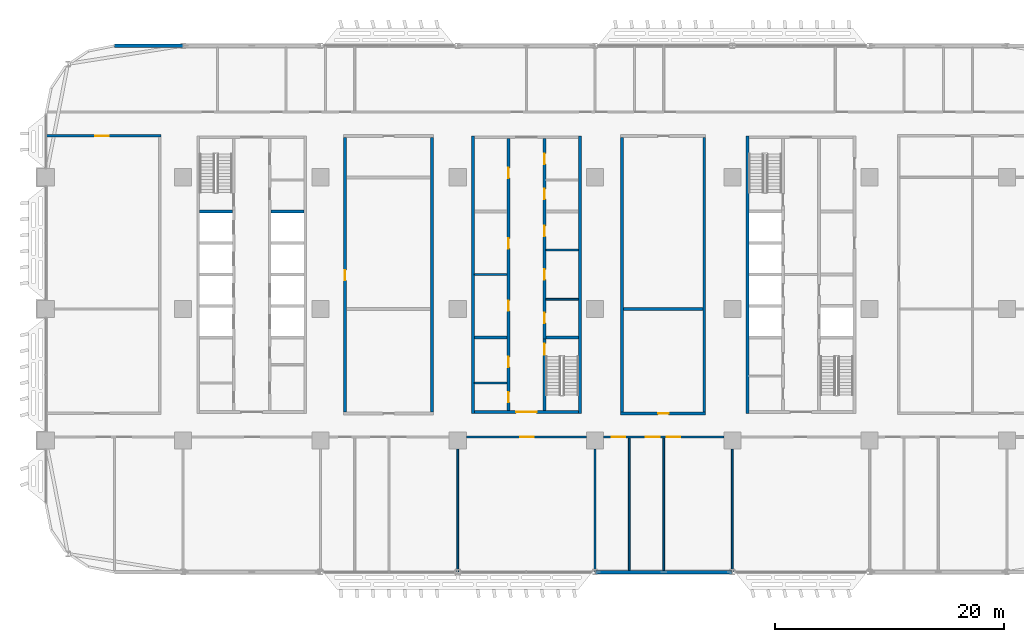
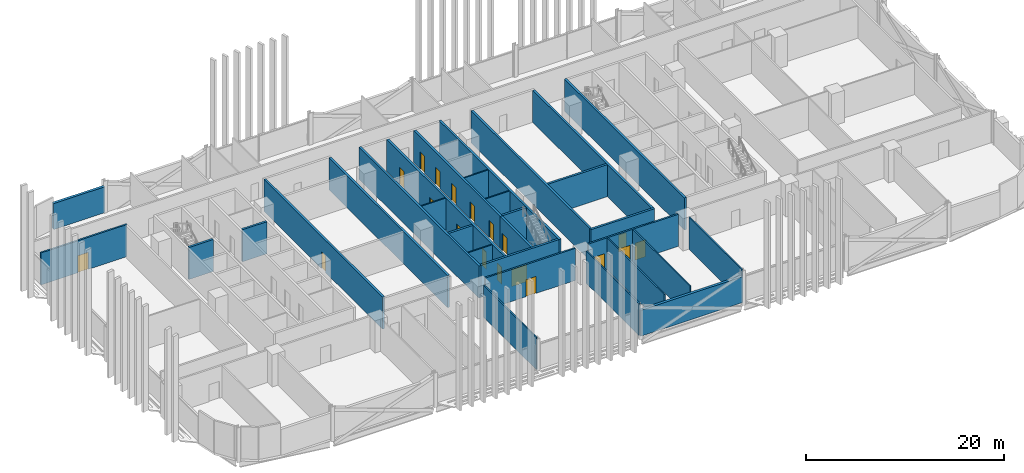
# One storey, part 13 of 29: 31 walls, 19 doors, 19 openings.
"""IFC4 building model written with IfcOpenShell, lengths in metres."""

from ifc_helpers import new_model, si_unit, direction, frame, frame_2d, origin, place, context, subcontext, project, spatial, rectangle, extrude, material, layer, layer_set, type_object, element, fill, save


model = new_model("IFC4")

# Units and contexts
model_context = context("Model", 3, precision=1e-05, world=origin(), true_north=direction((0.0, 1.0)))
body_context = subcontext(model_context, "Body", "Model", "MODEL_VIEW")
ifc_project = project(units=[si_unit("LENGTHUNIT", "METRE"), si_unit("AREAUNIT", "SQUARE_METRE"), si_unit("VOLUMEUNIT", "CUBIC_METRE"), si_unit("PLANEANGLEUNIT", "RADIAN"), si_unit("MASSUNIT", "GRAM", prefix="KILO")], contexts=[model_context])

# Site, building, storey
site_placement = place(None, origin())
site = spatial("IfcSite", under=ifc_project, at=site_placement, CompositionType="ELEMENT")
building_placement = place(site_placement, origin())
building = spatial("IfcBuilding", under=site, at=building_placement, Name="Mahtab Terrace Research Tower", CompositionType="ELEMENT")
storey_placement = place(building_placement, frame((0.0, 0.0, 63.199951171875)))
storey = spatial("IfcBuildingStorey", under=building, at=storey_placement, Name="L14", CompositionType="ELEMENT", Elevation=63.199951171875)

# Walls
ifc_material_1 = material(Name="Gypsum board partition")
ifc_layer_1 = layer(ifc_material_1, 0.14990234375)
ifc_layer_set_1 = layer_set([ifc_layer_1], Name="Core partition 150")
wall_type_1 = type_object("IfcWallType", Name="Core partition 150", PredefinedType="PARTITIONING", material=ifc_layer_set_1)
for number, where, z_axis, x_axis, name in (
    (1, (-4.550048828125, 3.0, 0.0), (0.0, 0.0, 1.0), (1.0, 0.0, 0.0), "Core wall B pWL0"),
    (2, (1.699951171875, 0.85009765625, 0.0), (0.0, 0.0, 1.0), (1.0, 0.0, 0.0), "Core wall B pEL-215"),
    (3, (1.699951171875, 5.14990234375, 0.0), (0.0, 0.0, 1.0), (1.0, 0.0, 0.0), "Core wall B pEL215"),
    (4, (-4.550048828125, -6.47509765625, 0.0), (0.0, 0.0, 1.0), (1.0, 0.0, 0.0), "Core wall B pWS-948"),
):
    element("IfcWall", number, at=place(storey_placement, frame(where, z_axis=z_axis, x_axis=x_axis)), inside=storey, type_object=wall_type_1, Name=name, PredefinedType="PARTITIONING", context=body_context, shape_type="SweptSolid", body=[
        extrude(rectangle(XDim=2.85009765625, YDim=0.14990234375, at=frame_2d((1.425048828125, 0.0))), origin(), (0.0, 0.0, 1.0), 3.9599609375),
    ])
ifc_material_2 = material(Name="Concrete C70/85", Category="concrete")
ifc_layer_2 = layer(ifc_material_2, 0.25)
ifc_layer_set_2 = layer_set([ifc_layer_2], Name="Core wall 250")
wall_type_2 = type_object("IfcWallType", Name="Core wall 250", PredefinedType="SOLIDWALL", material=ifc_layer_set_2)
for number, where, z_axis, x_axis, name in (
    (5, (-28.550048828125, 8.5, 0.0), (0.0, 0.0, 1.0), (1.0, 0.0, 0.0), "Core wall A divW4"),
    (6, (-22.300048828125, 8.5, 0.0), (0.0, 0.0, 1.0), (1.0, 0.0, 0.0), "Core wall A divE4"),
):
    element("IfcWall", number, at=place(storey_placement, frame(where, z_axis=z_axis, x_axis=x_axis)), inside=storey, type_object=wall_type_2, Name=name, PredefinedType="SOLIDWALL", context=body_context, shape_type="SweptSolid", body=[
        extrude(rectangle(XDim=2.85009765625, YDim=0.25, at=frame_2d((1.425048828125, 0.0))), origin(), (0.0, 0.0, 1.0), 3.9599609375),
    ])
for number, where, z_axis, x_axis, name in (
    (7, (-4.675048828125, 15.125, 0.0), (0.0, 0.0, 1.0), (0.0, -1.0, 0.0), "Core wall B outerW"),
    (8, (4.675048828125, -9.125, 0.0), (0.0, 0.0, 1.0), (0.0, 1.0, 0.0), "Core wall B outerE"),
):
    element("IfcWall", number, at=place(storey_placement, frame(where, z_axis=z_axis, x_axis=x_axis)), inside=storey, type_object=wall_type_2, Name=name, PredefinedType="SOLIDWALL", context=body_context, shape_type="SweptSolid", body=[
        extrude(rectangle(XDim=24.25, YDim=0.25, at=frame_2d((12.125, 0.0))), origin(), (0.0, 0.0, 1.0), 3.9599609375),
    ])

# Wall, opening, door
wall_1_placement = place(storey_placement, frame((4.550048828125, -9.0, 0.0), z_axis=(0.0, 0.0, 1.0), x_axis=(-1.0, 0.0, 0.0)))
wall_1 = element("IfcWall", 9, at=wall_1_placement, inside=storey, type_object=wall_type_2, Name="Core wall B endS", PredefinedType="SOLIDWALL", context=body_context, shape_type="SweptSolid", body=[
    extrude(rectangle(XDim=9.10009765625, YDim=0.25, at=frame_2d((4.550048828125, 0.0))), origin(), (0.0, 0.0, 1.0), 3.9599609375),
])
opening_1_placement = place(wall_1_placement, frame((3.64990234375, 0.0, 0.0)))
opening_1 = element("IfcOpeningElement", 10, at=opening_1_placement, cuts=wall_1, Name="Opening B-S1", PredefinedType="OPENING", context=body_context, shape_type="SweptSolid", body=[
    extrude(rectangle(XDim=1.800048828125, YDim=2.10009765625, at=frame_2d((0.89990234375, 1.050048828125))), frame((0.0, 0.135009765625, 0.0), z_axis=(0.0, -1.0, 0.0), x_axis=(1.0, 0.0, 0.0)), (0.0, 0.0, 1.0), 0.27001953125),
])
ifc_material_3 = material(Name="Steel fire door", Category="steel")
door_type_1 = type_object("IfcDoorType", Name="Lobby double door 1800x2100 1 HR", OperationType="DOUBLE_DOOR_SINGLE_SWING", PredefinedType="DOOR", material=ifc_material_3)
door_1_placement = place(opening_1_placement, origin())
door_1 = element("IfcDoor", 11, at=door_1_placement, inside=storey, type_object=door_type_1, Name="Core entrance door B S", OperationType="DOUBLE_DOOR_SINGLE_SWING", OverallHeight=2.10009765625, OverallWidth=1.800048828125, PredefinedType="DOOR", context=body_context, shape_type="SweptSolid", body=[
    extrude(rectangle(XDim=1.800048828125, YDim=2.10009765625, at=frame_2d((0.89990234375, 1.050048828125))), frame((0.0, 0.02490234375, 0.0), z_axis=(0.0, -1.0, 0.0), x_axis=(1.0, 0.0, 0.0)), (0.0, 0.0, 1.0), 0.050048828125),
])
fill(opening_1, door_1)

# Wall, openings, doors
wall_2_placement = place(storey_placement, frame((-1.574951171875, -8.875, 0.0), z_axis=(0.0, 0.0, 1.0), x_axis=(0.0, 1.0, 0.0)))
wall_2 = element("IfcWall", 12, at=wall_2_placement, inside=storey, type_object=wall_type_2, Name="Core wall B innerWSLN", PredefinedType="SOLIDWALL", context=body_context, shape_type="SweptSolid", body=[
    extrude(rectangle(XDim=23.75, YDim=0.25, at=frame_2d((11.875, 0.0))), origin(), (0.0, 0.0, 1.0), 3.9599609375),
])
opening_2_placement = place(wall_2_placement, frame((8.699951171875, 0.0, 0.0)))
opening_2 = element("IfcOpeningElement", 13, at=opening_2_placement, cuts=wall_2, Name="Opening B-R1", PredefinedType="OPENING", context=body_context, shape_type="SweptSolid", body=[
    extrude(rectangle(XDim=0.89990234375, YDim=2.10009765625, at=frame_2d((0.449951171875, 1.050048828125))), frame((0.0, 0.135009765625, 0.0), z_axis=(0.0, -1.0, 0.0), x_axis=(1.0, 0.0, 0.0)), (0.0, 0.0, 1.0), 0.27001953125),
])
opening_3_placement = place(wall_2_placement, frame((14.14990234375, 0.0, 0.0)))
opening_3 = element("IfcOpeningElement", 14, at=opening_3_placement, cuts=wall_2, Name="Opening B-R2", PredefinedType="OPENING", context=body_context, shape_type="SweptSolid", body=[
    extrude(rectangle(XDim=0.89990234375, YDim=2.10009765625, at=frame_2d((0.449951171875, 1.050048828125))), frame((0.0, 0.135009765625, 0.0), z_axis=(0.0, -1.0, 0.0), x_axis=(1.0, 0.0, 0.0)), (0.0, 0.0, 1.0), 0.27001953125),
])
opening_4_placement = place(wall_2_placement, frame((0.71240234375, 0.0, 0.0)))
opening_4 = element("IfcOpeningElement", 15, at=opening_4_placement, cuts=wall_2, Name="Opening B-R6", PredefinedType="OPENING", context=body_context, shape_type="SweptSolid", body=[
    extrude(rectangle(XDim=0.89990234375, YDim=2.10009765625, at=frame_2d((0.449951171875, 1.050048828125))), frame((0.0, 0.135009765625, 0.0), z_axis=(0.0, -1.0, 0.0), x_axis=(1.0, 0.0, 0.0)), (0.0, 0.0, 1.0), 0.27001953125),
])
opening_5_placement = place(wall_2_placement, frame((3.78759765625, 0.0, 0.0)))
opening_5 = element("IfcOpeningElement", 16, at=opening_5_placement, cuts=wall_2, Name="Opening B-R7", PredefinedType="OPENING", context=body_context, shape_type="SweptSolid", body=[
    extrude(rectangle(XDim=0.89990234375, YDim=2.10009765625, at=frame_2d((0.449951171875, 1.050048828125))), frame((0.0, 0.135009765625, 0.0), z_axis=(0.0, -1.0, 0.0), x_axis=(1.0, 0.0, 0.0)), (0.0, 0.0, 1.0), 0.27001953125),
])
opening_6_placement = place(wall_2_placement, frame((20.300048828125, 0.0, 0.0)))
opening_6 = element("IfcOpeningElement", 17, at=opening_6_placement, cuts=wall_2, Name="Opening B-R8", PredefinedType="OPENING", context=body_context, shape_type="SweptSolid", body=[
    extrude(rectangle(XDim=0.89990234375, YDim=2.10009765625, at=frame_2d((0.449951171875, 1.050048828125))), frame((0.0, 0.135009765625, 0.0), z_axis=(0.0, -1.0, 0.0), x_axis=(1.0, 0.0, 0.0)), (0.0, 0.0, 1.0), 0.27001953125),
])
door_type_2 = type_object("IfcDoorType", Name="Room door 900x2100 1 HR", OperationType="NOTDEFINED", PredefinedType="DOOR", material=ifc_material_3)
door_2_placement = place(opening_2_placement, origin())
door_2 = element("IfcDoor", 18, at=door_2_placement, inside=storey, type_object=door_type_2, Name="Document store door", OperationType="SINGLE_SWING_LEFT", OverallHeight=2.10009765625, OverallWidth=0.89990234375, PredefinedType="DOOR", context=body_context, shape_type="SweptSolid", body=[
    extrude(rectangle(XDim=0.89990234375, YDim=2.10009765625, at=frame_2d((0.449951171875, 1.050048828125))), frame((0.0, 0.02490234375, 0.0), z_axis=(0.0, -1.0, 0.0), x_axis=(1.0, 0.0, 0.0)), (0.0, 0.0, 1.0), 0.050048828125),
])
fill(opening_2, door_2)
door_3_placement = place(opening_3_placement, origin())
door_3 = element("IfcDoor", 19, at=door_3_placement, inside=storey, type_object=door_type_2, Name="IT equipment room door", OperationType="SINGLE_SWING_RIGHT", OverallHeight=2.10009765625, OverallWidth=0.89990234375, PredefinedType="DOOR", context=body_context, shape_type="SweptSolid", body=[
    extrude(rectangle(XDim=0.89990234375, YDim=2.10009765625, at=frame_2d((0.449951171875, 1.050048828125))), frame((0.0, 0.02490234375, 0.0), z_axis=(0.0, -1.0, 0.0), x_axis=(1.0, 0.0, 0.0)), (0.0, 0.0, 1.0), 0.050048828125),
])
fill(opening_3, door_3)
door_4_placement = place(opening_4_placement, origin())
door_4 = element("IfcDoor", 20, at=door_4_placement, inside=storey, type_object=door_type_2, Name="Mechanical riser room door", OperationType="SINGLE_SWING_RIGHT", OverallHeight=2.10009765625, OverallWidth=0.89990234375, PredefinedType="DOOR", context=body_context, shape_type="SweptSolid", body=[
    extrude(rectangle(XDim=0.89990234375, YDim=2.10009765625, at=frame_2d((0.449951171875, 1.050048828125))), frame((0.0, 0.02490234375, 0.0), z_axis=(0.0, -1.0, 0.0), x_axis=(1.0, 0.0, 0.0)), (0.0, 0.0, 1.0), 0.050048828125),
])
fill(opening_4, door_4)
door_5_placement = place(opening_5_placement, origin())
door_5 = element("IfcDoor", 21, at=door_5_placement, inside=storey, type_object=door_type_2, Name="Chemical store door", OperationType="SINGLE_SWING_LEFT", OverallHeight=2.10009765625, OverallWidth=0.89990234375, PredefinedType="DOOR", context=body_context, shape_type="SweptSolid", body=[
    extrude(rectangle(XDim=0.89990234375, YDim=2.10009765625, at=frame_2d((0.449951171875, 1.050048828125))), frame((0.0, 0.02490234375, 0.0), z_axis=(0.0, -1.0, 0.0), x_axis=(1.0, 0.0, 0.0)), (0.0, 0.0, 1.0), 0.050048828125),
])
fill(opening_5, door_5)
door_6_placement = place(opening_6_placement, origin())
door_6 = element("IfcDoor", 22, at=door_6_placement, inside=storey, type_object=door_type_2, Name="Gas cylinder store door", OperationType="SINGLE_SWING_RIGHT", OverallHeight=2.10009765625, OverallWidth=0.89990234375, PredefinedType="DOOR", context=body_context, shape_type="SweptSolid", body=[
    extrude(rectangle(XDim=0.89990234375, YDim=2.10009765625, at=frame_2d((0.449951171875, 1.050048828125))), frame((0.0, 0.02490234375, 0.0), z_axis=(0.0, -1.0, 0.0), x_axis=(1.0, 0.0, 0.0)), (0.0, 0.0, 1.0), 0.050048828125),
])
fill(opening_6, door_6)

# Wall, opening, door
wall_3_placement = place(storey_placement, frame((1.574951171875, -8.875, 0.0), z_axis=(0.0, 0.0, 1.0), x_axis=(0.0, 1.0, 0.0)))
wall_3 = element("IfcWall", 23, at=wall_3_placement, inside=storey, type_object=wall_type_2, Name="Core wall B innerES", PredefinedType="SOLIDWALL", context=body_context, shape_type="SweptSolid", body=[
    extrude(rectangle(XDim=6.25, YDim=0.25, at=frame_2d((3.125, 0.0))), origin(), (0.0, 0.0, 1.0), 3.9599609375),
])
opening_7_placement = place(wall_3_placement, frame((4.85009765625, 0.0, 0.0)))
opening_7 = element("IfcOpeningElement", 24, at=opening_7_placement, cuts=wall_3, Name="Opening B-ST2", PredefinedType="OPENING", context=body_context, shape_type="SweptSolid", body=[
    extrude(rectangle(XDim=1.0, YDim=2.10009765625, at=frame_2d((0.5, 1.050048828125))), frame((0.0, 0.135009765625, 0.0), z_axis=(0.0, -1.0, 0.0), x_axis=(1.0, 0.0, 0.0)), (0.0, 0.0, 1.0), 0.27001953125),
])
door_type_3 = type_object("IfcDoorType", Name="Stair door 1000x2100 1.5 HR", OperationType="NOTDEFINED", PredefinedType="DOOR", material=ifc_material_3)
door_7_placement = place(opening_7_placement, origin())
door_7 = element("IfcDoor", 25, at=door_7_placement, inside=storey, type_object=door_type_3, Name="Stair door ST2 L14", OperationType="SINGLE_SWING_LEFT", OverallHeight=2.10009765625, OverallWidth=1.0, PredefinedType="DOOR", context=body_context, shape_type="SweptSolid", body=[
    extrude(rectangle(XDim=1.0, YDim=2.10009765625, at=frame_2d((0.5, 1.050048828125))), frame((0.0, 0.02490234375, 0.0), z_axis=(0.0, -1.0, 0.0), x_axis=(1.0, 0.0, 0.0)), (0.0, 0.0, 1.0), 0.050048828125),
])
fill(opening_7, door_7)

# Wall, openings, doors
wall_4_placement = place(storey_placement, frame((1.574951171875, 14.875, 0.0), z_axis=(0.0, 0.0, 1.0), x_axis=(0.0, -1.0, 0.0)))
wall_4 = element("IfcWall", 26, at=wall_4_placement, inside=storey, type_object=wall_type_2, Name="Core wall B innerELN", PredefinedType="SOLIDWALL", context=body_context, shape_type="SweptSolid", body=[
    extrude(rectangle(XDim=17.5, YDim=0.25, at=frame_2d((8.75, 0.0))), origin(), (0.0, 0.0, 1.0), 3.9599609375),
])
opening_8_placement = place(wall_4_placement, frame((15.22509765625, 0.0, 0.0)))
opening_8 = element("IfcOpeningElement", 27, at=opening_8_placement, cuts=wall_4, Name="Opening B-R3", PredefinedType="OPENING", context=body_context, shape_type="SweptSolid", body=[
    extrude(rectangle(XDim=0.89990234375, YDim=2.10009765625, at=frame_2d((0.449951171875, 1.050048828125))), frame((0.0, 0.135009765625, 0.0), z_axis=(0.0, -1.0, 0.0), x_axis=(1.0, 0.0, 0.0)), (0.0, 0.0, 1.0), 0.27001953125),
])
opening_9_placement = place(wall_4_placement, frame((11.425048828125, 0.0, 0.0)))
opening_9 = element("IfcOpeningElement", 28, at=opening_9_placement, cuts=wall_4, Name="Opening B-R4", PredefinedType="OPENING", context=body_context, shape_type="SweptSolid", body=[
    extrude(rectangle(XDim=0.89990234375, YDim=2.10009765625, at=frame_2d((0.449951171875, 1.050048828125))), frame((0.0, 0.135009765625, 0.0), z_axis=(0.0, -1.0, 0.0), x_axis=(1.0, 0.0, 0.0)), (0.0, 0.0, 1.0), 0.27001953125),
])
opening_10_placement = place(wall_4_placement, frame((7.625, 0.0, 0.0)))
opening_10 = element("IfcOpeningElement", 29, at=opening_10_placement, cuts=wall_4, Name="Opening B-R5", PredefinedType="OPENING", context=body_context, shape_type="SweptSolid", body=[
    extrude(rectangle(XDim=0.89990234375, YDim=2.10009765625, at=frame_2d((0.449951171875, 1.050048828125))), frame((0.0, 0.135009765625, 0.0), z_axis=(0.0, -1.0, 0.0), x_axis=(1.0, 0.0, 0.0)), (0.0, 0.0, 1.0), 0.27001953125),
])
opening_11_placement = place(wall_4_placement, frame((4.387451171875, 0.0, 0.0)))
opening_11 = element("IfcOpeningElement", 30, at=opening_11_placement, cuts=wall_4, Name="Opening B-R9", PredefinedType="OPENING", context=body_context, shape_type="SweptSolid", body=[
    extrude(rectangle(XDim=0.89990234375, YDim=2.10009765625, at=frame_2d((0.449951171875, 1.050048828125))), frame((0.0, 0.135009765625, 0.0), z_axis=(0.0, -1.0, 0.0), x_axis=(1.0, 0.0, 0.0)), (0.0, 0.0, 1.0), 0.27001953125),
])
opening_12_placement = place(wall_4_placement, frame((1.3125, 0.0, 0.0)))
opening_12 = element("IfcOpeningElement", 31, at=opening_12_placement, cuts=wall_4, Name="Opening B-R10", PredefinedType="OPENING", context=body_context, shape_type="SweptSolid", body=[
    extrude(rectangle(XDim=0.89990234375, YDim=2.10009765625, at=frame_2d((0.449951171875, 1.050048828125))), frame((0.0, 0.135009765625, 0.0), z_axis=(0.0, -1.0, 0.0), x_axis=(1.0, 0.0, 0.0)), (0.0, 0.0, 1.0), 0.27001953125),
])
door_8_placement = place(opening_8_placement, origin())
door_8 = element("IfcDoor", 32, at=door_8_placement, inside=storey, type_object=door_type_2, Name="Electrical room door", OperationType="SINGLE_SWING_LEFT", OverallHeight=2.10009765625, OverallWidth=0.89990234375, PredefinedType="DOOR", context=body_context, shape_type="SweptSolid", body=[
    extrude(rectangle(XDim=0.89990234375, YDim=2.10009765625, at=frame_2d((0.449951171875, 1.050048828125))), frame((0.0, 0.02490234375, 0.0), z_axis=(0.0, -1.0, 0.0), x_axis=(1.0, 0.0, 0.0)), (0.0, 0.0, 1.0), 0.050048828125),
])
fill(opening_8, door_8)
door_9_placement = place(opening_9_placement, origin())
door_9 = element("IfcDoor", 33, at=door_9_placement, inside=storey, type_object=door_type_2, Name="Pantry door", OperationType="SINGLE_SWING_RIGHT", OverallHeight=2.10009765625, OverallWidth=0.89990234375, PredefinedType="DOOR", context=body_context, shape_type="SweptSolid", body=[
    extrude(rectangle(XDim=0.89990234375, YDim=2.10009765625, at=frame_2d((0.449951171875, 1.050048828125))), frame((0.0, 0.02490234375, 0.0), z_axis=(0.0, -1.0, 0.0), x_axis=(1.0, 0.0, 0.0)), (0.0, 0.0, 1.0), 0.050048828125),
])
fill(opening_9, door_9)
door_10_placement = place(opening_10_placement, origin())
door_10 = element("IfcDoor", 34, at=door_10_placement, inside=storey, type_object=door_type_2, Name="Housekeeping store door", OperationType="SINGLE_SWING_LEFT", OverallHeight=2.10009765625, OverallWidth=0.89990234375, PredefinedType="DOOR", context=body_context, shape_type="SweptSolid", body=[
    extrude(rectangle(XDim=0.89990234375, YDim=2.10009765625, at=frame_2d((0.449951171875, 1.050048828125))), frame((0.0, 0.02490234375, 0.0), z_axis=(0.0, -1.0, 0.0), x_axis=(1.0, 0.0, 0.0)), (0.0, 0.0, 1.0), 0.050048828125),
])
fill(opening_10, door_10)
door_11_placement = place(opening_11_placement, origin())
door_11 = element("IfcDoor", 35, at=door_11_placement, inside=storey, type_object=door_type_2, Name="Accessible WC door", OperationType="SINGLE_SWING_LEFT", OverallHeight=2.10009765625, OverallWidth=0.89990234375, PredefinedType="DOOR", context=body_context, shape_type="SweptSolid", body=[
    extrude(rectangle(XDim=0.89990234375, YDim=2.10009765625, at=frame_2d((0.449951171875, 1.050048828125))), frame((0.0, 0.02490234375, 0.0), z_axis=(0.0, -1.0, 0.0), x_axis=(1.0, 0.0, 0.0)), (0.0, 0.0, 1.0), 0.050048828125),
])
fill(opening_11, door_11)
door_12_placement = place(opening_12_placement, origin())
door_12 = element("IfcDoor", 36, at=door_12_placement, inside=storey, type_object=door_type_2, Name="WC block door", OperationType="SINGLE_SWING_RIGHT", OverallHeight=2.10009765625, OverallWidth=0.89990234375, PredefinedType="DOOR", context=body_context, shape_type="SweptSolid", body=[
    extrude(rectangle(XDim=0.89990234375, YDim=2.10009765625, at=frame_2d((0.449951171875, 1.050048828125))), frame((0.0, 0.02490234375, 0.0), z_axis=(0.0, -1.0, 0.0), x_axis=(1.0, 0.0, 0.0)), (0.0, 0.0, 1.0), 0.050048828125),
])
fill(opening_12, door_12)

# Walls
for number, where, z_axis, x_axis, name in (
    (37, (-4.550048828125, -2.5, 0.0), (0.0, 0.0, 1.0), (1.0, 0.0, 0.0), "Core wall B divW0"),
    (38, (1.699951171875, -2.5, 0.0), (0.0, 0.0, 1.0), (1.0, 0.0, 0.0), "Core wall B divE0"),
):
    element("IfcWall", number, at=place(storey_placement, frame(where, z_axis=z_axis, x_axis=x_axis)), inside=storey, type_object=wall_type_2, Name=name, PredefinedType="SOLIDWALL", context=body_context, shape_type="SweptSolid", body=[
        extrude(rectangle(XDim=2.85009765625, YDim=0.25, at=frame_2d((1.425048828125, 0.0))), origin(), (0.0, 0.0, 1.0), 3.9599609375),
    ])
wall_5_placement = place(storey_placement, frame((19.324951171875, 15.125, 0.0), z_axis=(0.0, 0.0, 1.0), x_axis=(0.0, -1.0, 0.0)))
element("IfcWall", 39, at=wall_5_placement, inside=storey, type_object=wall_type_2, Name="Core wall C outerW", PredefinedType="SOLIDWALL", context=body_context, shape_type="SweptSolid", body=[
    extrude(rectangle(XDim=24.25, YDim=0.25, at=frame_2d((12.125, 0.0))), origin(), (0.0, 0.0, 1.0), 3.9599609375),
])
ifc_material_4 = material(Name="Black aluminium cladding panel", Category="aluminium")
ifc_layer_3 = layer(ifc_material_4, 0.300048828125)
ifc_layer_set_3 = layer_set([ifc_layer_3], Name="Opaque facade wall 300")
wall_type_3 = type_object("IfcWallType", Name="Opaque facade wall 300", PredefinedType="NOTDEFINED", material=ifc_layer_set_3)
wall_6_placement = place(storey_placement, frame((-30.02392578125, 23.0, 0.0), z_axis=(0.0, 0.0, 1.0), x_axis=(-1.0, 0.0, 0.0)))
element("IfcWall", 40, at=wall_6_placement, inside=storey, type_object=wall_type_3, Name="Opaque facade wall L14 N10", PredefinedType="NOTDEFINED", context=body_context, shape_type="SweptSolid", body=[
    extrude(rectangle(XDim=5.97607421875, YDim=0.300048828125, at=frame_2d((2.988037109375, 0.0))), origin(), (0.0, 0.0, 1.0), 3.203125),
])
wall_7_placement = place(storey_placement, frame((6.02392578125, -23.0, 0.0), z_axis=(0.0, 0.0, 1.0), x_axis=(1.0, 0.0, 0.0)))
element("IfcWall", 41, at=wall_7_placement, inside=storey, type_object=wall_type_3, Name="Opaque facade wall L14 S27", PredefinedType="NOTDEFINED", context=body_context, shape_type="SweptSolid", body=[
    extrude(rectangle(XDim=11.9521484375, YDim=0.300048828125, at=frame_2d((5.97607421875, 0.0))), origin(), (0.0, 0.0, 1.0), 3.203125),
])

# Wall, opening, door
ifc_material_5 = material(Name="Masonry control area wall", Category="masonry")
ifc_layer_4 = layer(ifc_material_5, 0.25)
ifc_layer_set_4 = layer_set([ifc_layer_4], Name="WALL CONTROL AREA 250")
wall_type_4 = type_object("IfcWallType", Name="WALL CONTROL AREA 250", PredefinedType="PARTITIONING", material=ifc_layer_set_4)
wall_8_placement = place(storey_placement, frame((8.22509765625, -9.125, 0.0), z_axis=(0.0, 0.0, 1.0), x_axis=(1.0, 0.0, 0.0)))
wall_8 = element("IfcWall", 42, at=wall_8_placement, inside=storey, type_object=wall_type_4, Name="L14-W011", PredefinedType="PARTITIONING", context=body_context, shape_type="SweptSolid", body=[
    extrude(rectangle(XDim=7.449951171875, YDim=0.25, at=frame_2d((3.72509765625, 0.0))), origin(), (0.0, 0.0, 1.0), 3.9599609375),
])
opening_13_placement = place(wall_8_placement, frame((3.300048828125, 0.0, 0.0)))
opening_13 = element("IfcOpeningElement", 43, at=opening_13_placement, cuts=wall_8, Name="Opening L14-118", PredefinedType="OPENING", context=body_context, shape_type="SweptSolid", body=[
    extrude(rectangle(XDim=0.89990234375, YDim=2.10009765625, at=frame_2d((0.449951171875, 1.050048828125))), frame((0.0, 0.135009765625, 0.0), z_axis=(0.0, -1.0, 0.0), x_axis=(1.0, 0.0, 0.0)), (0.0, 0.0, 1.0), 0.27001953125),
])
ifc_material_6 = material(Name="Timber door leaf in steel frame", Category="steel")
door_type_4 = type_object("IfcDoorType", Name="DOOR 0900X2100 FD120", OperationType="SINGLE_SWING_LEFT", PredefinedType="DOOR", material=ifc_material_6)
door_13_placement = place(opening_13_placement, origin())
door_13 = element("IfcDoor", 44, at=door_13_placement, inside=storey, type_object=door_type_4, Name="Door L14-118", OperationType="SINGLE_SWING_RIGHT", OverallHeight=2.10009765625, OverallWidth=0.89990234375, PredefinedType="DOOR", context=body_context, shape_type="SweptSolid", body=[
    extrude(rectangle(XDim=0.89990234375, YDim=2.10009765625, at=frame_2d((0.449951171875, 1.050048828125))), frame((0.0, 0.02490234375, 0.0), z_axis=(0.0, -1.0, 0.0), x_axis=(1.0, 0.0, 0.0)), (0.0, 0.0, 1.0), 0.050048828125),
])
fill(opening_13, door_13)

# Wall
wall_9_placement = place(storey_placement, frame((8.47509765625, 0.0, 0.0), z_axis=(0.0, 0.0, 1.0), x_axis=(1.0, 0.0, 0.0)))
element("IfcWall", 45, at=wall_9_placement, inside=storey, type_object=wall_type_4, Name="L14-W015", PredefinedType="PARTITIONING", context=body_context, shape_type="SweptSolid", body=[
    extrude(rectangle(XDim=6.949951171875, YDim=0.25, at=frame_2d((3.47509765625, 0.0))), origin(), (0.0, 0.0, 1.0), 3.9599609375),
])

# Wall, opening, door
wall_10_placement = place(storey_placement, frame((-15.85009765625, -9.0, 0.0), z_axis=(0.0, 0.0, 1.0), x_axis=(0.0, 1.0, 0.0)))
wall_10 = element("IfcWall", 46, at=wall_10_placement, inside=storey, type_object=wall_type_4, Name="L14-W033", PredefinedType="PARTITIONING", context=body_context, shape_type="SweptSolid", body=[
    extrude(rectangle(XDim=24.0, YDim=0.25, at=frame_2d((12.0, 0.0))), origin(), (0.0, 0.0, 1.0), 3.9599609375),
])
opening_14_placement = place(wall_10_placement, frame((11.5, 0.0, 0.0)))
opening_14 = element("IfcOpeningElement", 47, at=opening_14_placement, cuts=wall_10, Name="Opening L14-121", PredefinedType="OPENING", context=body_context, shape_type="SweptSolid", body=[
    extrude(rectangle(XDim=0.89990234375, YDim=2.10009765625, at=frame_2d((0.449951171875, 1.050048828125))), frame((0.0, 0.135009765625, 0.0), z_axis=(0.0, -1.0, 0.0), x_axis=(1.0, 0.0, 0.0)), (0.0, 0.0, 1.0), 0.27001953125),
])
door_14_placement = place(opening_14_placement, origin())
door_14 = element("IfcDoor", 48, at=door_14_placement, inside=storey, type_object=door_type_4, Name="Door L14-121", OperationType="SINGLE_SWING_RIGHT", OverallHeight=2.10009765625, OverallWidth=0.89990234375, PredefinedType="DOOR", context=body_context, shape_type="SweptSolid", body=[
    extrude(rectangle(XDim=0.89990234375, YDim=2.10009765625, at=frame_2d((0.449951171875, 1.050048828125))), frame((0.0, 0.02490234375, 0.0), z_axis=(0.0, -1.0, 0.0), x_axis=(1.0, 0.0, 0.0)), (0.0, 0.0, 1.0), 0.050048828125),
])
fill(opening_14, door_14)

# Walls
for number, where, z_axis, x_axis, name in (
    (49, (-8.25, -9.0, 0.0), (0.0, 0.0, 1.0), (0.0, 1.0, 0.0), "L14-W037"),
    (50, (8.35009765625, -9.0, 0.0), (0.0, 0.0, 1.0), (0.0, 1.0, 0.0), "L14-W042"),
    (51, (15.550048828125, -9.0, 0.0), (0.0, 0.0, 1.0), (0.0, 1.0, 0.0), "L14-W047"),
):
    element("IfcWall", number, at=place(storey_placement, frame(where, z_axis=z_axis, x_axis=x_axis)), inside=storey, type_object=wall_type_4, Name=name, PredefinedType="PARTITIONING", context=body_context, shape_type="SweptSolid", body=[
        extrude(rectangle(XDim=24.0, YDim=0.25, at=frame_2d((12.0, 0.0))), origin(), (0.0, 0.0, 1.0), 3.9599609375),
    ])

# Wall, opening, door
ifc_material_7 = material(Name="Gypsum board corridor wall on steel studs", Category="steel")
ifc_layer_5 = layer(ifc_material_7, 0.199951171875)
ifc_layer_set_5 = layer_set([ifc_layer_5], Name="WALL CORRIDOR 200")
wall_type_5 = type_object("IfcWallType", Name="WALL CORRIDOR 200", PredefinedType="PARTITIONING", material=ifc_layer_set_5)
wall_11_placement = place(storey_placement, frame((-5.25, -11.199951171875, 0.0), z_axis=(0.0, 0.0, 1.0), x_axis=(1.0, 0.0, 0.0)))
wall_11 = element("IfcWall", 52, at=wall_11_placement, inside=storey, type_object=wall_type_5, Name="L14-W004", PredefinedType="PARTITIONING", context=body_context, shape_type="SweptSolid", body=[
    extrude(rectangle(XDim=10.5, YDim=0.199951171875, at=frame_2d((5.25, 0.0))), origin(), (0.0, 0.0, 1.0), 3.9599609375),
])
opening_15_placement = place(wall_11_placement, frame((4.699951171875, 0.0, 0.0)))
opening_15 = element("IfcOpeningElement", 53, at=opening_15_placement, cuts=wall_11, Name="Opening L14-107", PredefinedType="OPENING", context=body_context, shape_type="SweptSolid", body=[
    extrude(rectangle(XDim=1.199951171875, YDim=2.10009765625, at=frame_2d((0.60009765625, 1.050048828125))), frame((0.0, 0.10986328125, 0.0), z_axis=(0.0, -1.0, 0.0), x_axis=(1.0, 0.0, 0.0)), (0.0, 0.0, 1.0), 0.219970703125),
])
door_type_5 = type_object("IfcDoorType", Name="DOOR 1200X2100 FD30S", OperationType="SINGLE_SWING_LEFT", PredefinedType="DOOR", material=ifc_material_6)
door_15_placement = place(opening_15_placement, origin())
door_15 = element("IfcDoor", 54, at=door_15_placement, inside=storey, type_object=door_type_5, Name="Door L14-107", OperationType="SINGLE_SWING_LEFT", OverallHeight=2.10009765625, OverallWidth=1.199951171875, PredefinedType="DOOR", context=body_context, shape_type="SweptSolid", body=[
    extrude(rectangle(XDim=1.199951171875, YDim=2.10009765625, at=frame_2d((0.60009765625, 1.050048828125))), frame((0.0, 0.02490234375, 0.0), z_axis=(0.0, -1.0, 0.0), x_axis=(1.0, 0.0, 0.0)), (0.0, 0.0, 1.0), 0.050048828125),
])
fill(opening_15, door_15)

# Wall, openings, doors
wall_12_placement = place(storey_placement, frame((6.75, -11.199951171875, 0.0), z_axis=(0.0, 0.0, 1.0), x_axis=(1.0, 0.0, 0.0)))
wall_12 = element("IfcWall", 55, at=wall_12_placement, inside=storey, type_object=wall_type_5, Name="L14-W005", PredefinedType="PARTITIONING", context=body_context, shape_type="SweptSolid", body=[
    extrude(rectangle(XDim=10.5, YDim=0.199951171875, at=frame_2d((5.25, 0.0))), origin(), (0.0, 0.0, 1.0), 3.9599609375),
])
opening_16_placement = place(wall_12_placement, frame((0.699951171875, 0.0, 0.0)))
opening_16 = element("IfcOpeningElement", 56, at=opening_16_placement, cuts=wall_12, Name="Opening L14-108", PredefinedType="OPENING", context=body_context, shape_type="SweptSolid", body=[
    extrude(rectangle(XDim=1.199951171875, YDim=2.10009765625, at=frame_2d((0.60009765625, 1.050048828125))), frame((0.0, 0.10986328125, 0.0), z_axis=(0.0, -1.0, 0.0), x_axis=(1.0, 0.0, 0.0)), (0.0, 0.0, 1.0), 0.219970703125),
])
opening_17_placement = place(wall_12_placement, frame((3.699951171875, 0.0, 0.0)))
opening_17 = element("IfcOpeningElement", 57, at=opening_17_placement, cuts=wall_12, Name="Opening L14-109", PredefinedType="OPENING", context=body_context, shape_type="SweptSolid", body=[
    extrude(rectangle(XDim=1.199951171875, YDim=2.10009765625, at=frame_2d((0.60009765625, 1.050048828125))), frame((0.0, 0.10986328125, 0.0), z_axis=(0.0, -1.0, 0.0), x_axis=(1.0, 0.0, 0.0)), (0.0, 0.0, 1.0), 0.219970703125),
])
opening_18_placement = place(wall_12_placement, frame((5.5, 0.0, 0.0)))
opening_18 = element("IfcOpeningElement", 58, at=opening_18_placement, cuts=wall_12, Name="Opening L14-110", PredefinedType="OPENING", context=body_context, shape_type="SweptSolid", body=[
    extrude(rectangle(XDim=1.199951171875, YDim=2.10009765625, at=frame_2d((0.60009765625, 1.050048828125))), frame((0.0, 0.10986328125, 0.0), z_axis=(0.0, -1.0, 0.0), x_axis=(1.0, 0.0, 0.0)), (0.0, 0.0, 1.0), 0.219970703125),
])
door_16_placement = place(opening_16_placement, origin())
door_16 = element("IfcDoor", 59, at=door_16_placement, inside=storey, type_object=door_type_5, Name="Door L14-108", OperationType="SINGLE_SWING_RIGHT", OverallHeight=2.10009765625, OverallWidth=1.199951171875, PredefinedType="DOOR", context=body_context, shape_type="SweptSolid", body=[
    extrude(rectangle(XDim=1.199951171875, YDim=2.10009765625, at=frame_2d((0.60009765625, 1.050048828125))), frame((0.0, 0.02490234375, 0.0), z_axis=(0.0, -1.0, 0.0), x_axis=(1.0, 0.0, 0.0)), (0.0, 0.0, 1.0), 0.050048828125),
])
fill(opening_16, door_16)
door_17_placement = place(opening_17_placement, origin())
door_17 = element("IfcDoor", 60, at=door_17_placement, inside=storey, type_object=door_type_5, Name="Door L14-109", OperationType="SINGLE_SWING_RIGHT", OverallHeight=2.10009765625, OverallWidth=1.199951171875, PredefinedType="DOOR", context=body_context, shape_type="SweptSolid", body=[
    extrude(rectangle(XDim=1.199951171875, YDim=2.10009765625, at=frame_2d((0.60009765625, 1.050048828125))), frame((0.0, 0.02490234375, 0.0), z_axis=(0.0, -1.0, 0.0), x_axis=(1.0, 0.0, 0.0)), (0.0, 0.0, 1.0), 0.050048828125),
])
fill(opening_17, door_17)
door_18_placement = place(opening_18_placement, origin())
door_18 = element("IfcDoor", 61, at=door_18_placement, inside=storey, type_object=door_type_5, Name="Door L14-110", OperationType="SINGLE_SWING_LEFT", OverallHeight=2.10009765625, OverallWidth=1.199951171875, PredefinedType="DOOR", context=body_context, shape_type="SweptSolid", body=[
    extrude(rectangle(XDim=1.199951171875, YDim=2.10009765625, at=frame_2d((0.60009765625, 1.050048828125))), frame((0.0, 0.02490234375, 0.0), z_axis=(0.0, -1.0, 0.0), x_axis=(1.0, 0.0, 0.0)), (0.0, 0.0, 1.0), 0.050048828125),
])
fill(opening_18, door_18)

# Wall, opening, door
wall_13_placement = place(storey_placement, frame((-41.97509765625, 15.125, 0.0), z_axis=(0.0, 0.0, 1.0), x_axis=(1.0, 0.0, 0.0)))
wall_13 = element("IfcWall", 62, at=wall_13_placement, inside=storey, type_object=wall_type_5, Name="L14-W021", PredefinedType="PARTITIONING", context=body_context, shape_type="SweptSolid", body=[
    extrude(rectangle(XDim=10.025146484375, YDim=0.199951171875, at=frame_2d((5.0126953125, 0.0))), origin(), (0.0, 0.0, 1.0), 3.9599609375),
])
opening_19_placement = place(wall_13_placement, frame((4.300048828125, 0.0, 0.0)))
opening_19 = element("IfcOpeningElement", 63, at=opening_19_placement, cuts=wall_13, Name="Opening L14-124", PredefinedType="OPENING", context=body_context, shape_type="SweptSolid", body=[
    extrude(rectangle(XDim=1.199951171875, YDim=2.10009765625, at=frame_2d((0.60009765625, 1.050048828125))), frame((0.0, 0.10986328125, 0.0), z_axis=(0.0, -1.0, 0.0), x_axis=(1.0, 0.0, 0.0)), (0.0, 0.0, 1.0), 0.219970703125),
])
door_19_placement = place(opening_19_placement, origin())
door_19 = element("IfcDoor", 64, at=door_19_placement, inside=storey, type_object=door_type_5, Name="Door L14-124", OperationType="SINGLE_SWING_RIGHT", OverallHeight=2.10009765625, OverallWidth=1.199951171875, PredefinedType="DOOR", context=body_context, shape_type="SweptSolid", body=[
    extrude(rectangle(XDim=1.199951171875, YDim=2.10009765625, at=frame_2d((0.60009765625, 1.050048828125))), frame((0.0, 0.02490234375, 0.0), z_axis=(0.0, -1.0, 0.0), x_axis=(1.0, 0.0, 0.0)), (0.0, 0.0, 1.0), 0.050048828125),
])
fill(opening_19, door_19)

# Walls
ifc_material_8 = material(Name="Gypsum board partition on steel studs", Category="steel")
ifc_layer_6 = layer(ifc_material_8, 0.14990234375)
ifc_layer_set_6 = layer_set([ifc_layer_6], Name="WALL PARTITION 150")
wall_type_6 = type_object("IfcWallType", Name="WALL PARTITION 150", PredefinedType="PARTITIONING", material=ifc_layer_set_6)
for number, where, z_axis, x_axis, name in (
    (65, (-6.0, -22.97509765625, 0.0), (0.0, 0.0, 1.0), (0.0, 1.0, 0.0), "L14-W038"),
    (66, (6.0, -22.97509765625, 0.0), (0.0, 0.0, 1.0), (0.0, 1.0, 0.0), "L14-W040"),
):
    element("IfcWall", number, at=place(storey_placement, frame(where, z_axis=z_axis, x_axis=x_axis)), inside=storey, type_object=wall_type_6, Name=name, PredefinedType="PARTITIONING", context=body_context, shape_type="SweptSolid", body=[
        extrude(rectangle(XDim=10.72509765625, YDim=0.14990234375, at=frame_2d((5.362548828125, 0.0))), origin(), (0.0, 0.0, 1.0), 3.9599609375),
    ])
for number, where, z_axis, x_axis, name in (
    (67, (9.0, -22.85009765625, 0.0), (0.0, 0.0, 1.0), (0.0, 1.0, 0.0), "L14-W043"),
    (68, (12.0, -22.85009765625, 0.0), (0.0, 0.0, 1.0), (0.0, 1.0, 0.0), "L14-W045"),
):
    element("IfcWall", number, at=place(storey_placement, frame(where, z_axis=z_axis, x_axis=x_axis)), inside=storey, type_object=wall_type_6, Name=name, PredefinedType="PARTITIONING", context=body_context, shape_type="SweptSolid", body=[
        extrude(rectangle(XDim=11.550048828125, YDim=0.14990234375, at=frame_2d((5.77490234375, 0.0))), origin(), (0.0, 0.0, 1.0), 3.9599609375),
    ])
wall_14_placement = place(storey_placement, frame((18.0, -22.97509765625, 0.0), z_axis=(0.0, 0.0, 1.0), x_axis=(0.0, 1.0, 0.0)))
element("IfcWall", 69, at=wall_14_placement, inside=storey, type_object=wall_type_6, Name="L14-W048", PredefinedType="PARTITIONING", context=body_context, shape_type="SweptSolid", body=[
    extrude(rectangle(XDim=10.72509765625, YDim=0.14990234375, at=frame_2d((5.362548828125, 0.0))), origin(), (0.0, 0.0, 1.0), 3.9599609375),
])

save(model, "model.ifc")
